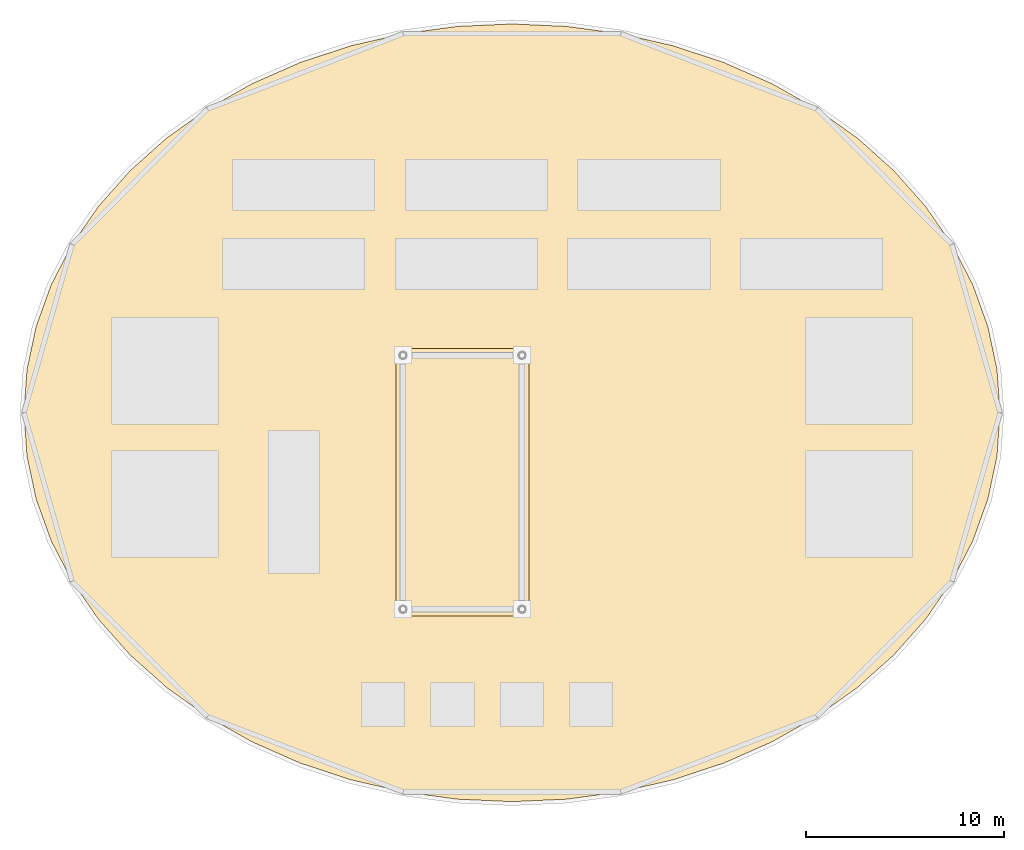
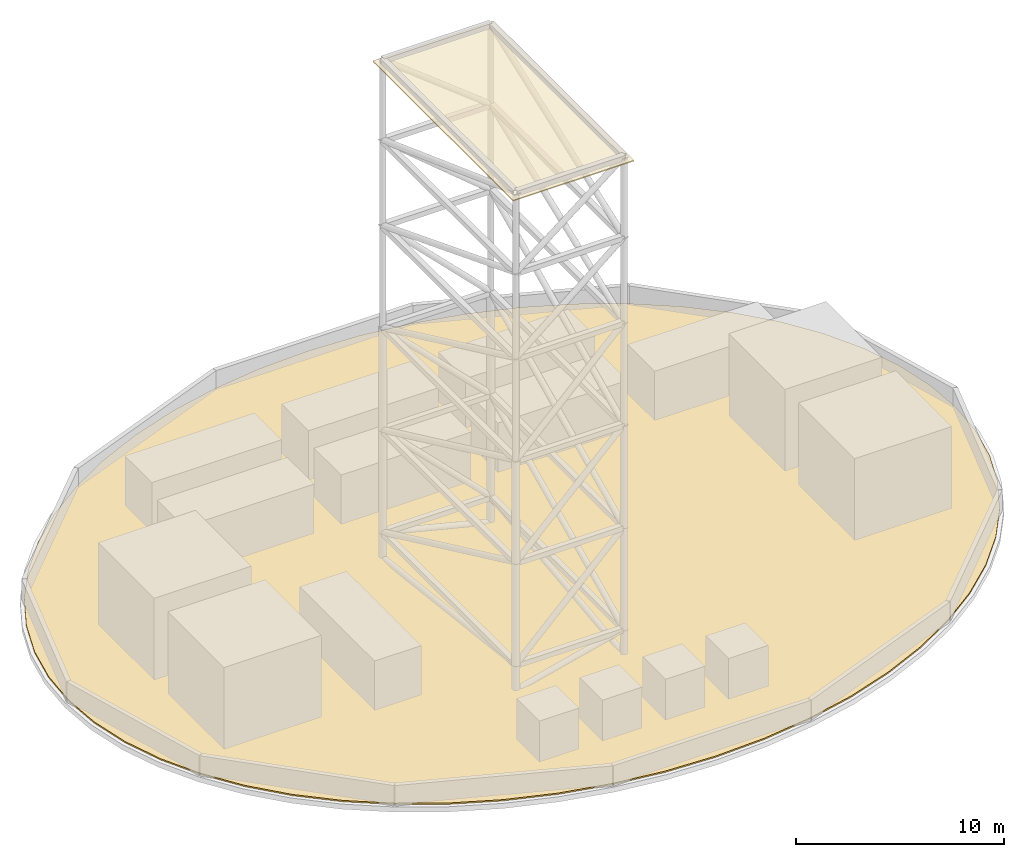
# One storey, part 3 of 4: 2 coverings.
"""IFC4 building model written with IfcOpenShell, lengths in metres."""

from ifc_helpers import new_model, si_unit, direction, frame, origin, place, context, subcontext, project, spatial, polyline, outline, extrude, material, layer, layer_set, type_object, element, save


model = new_model("IFC4")

# Units and contexts
model_context = context("Model", 3, precision=1e-05, world=origin(), true_north=direction((0.0, 1.0)))
body_context = subcontext(model_context, "Body", "Model", "MODEL_VIEW")
ifc_project = project(units=[si_unit("LENGTHUNIT", "METRE"), si_unit("AREAUNIT", "SQUARE_METRE"), si_unit("VOLUMEUNIT", "CUBIC_METRE"), si_unit("PLANEANGLEUNIT", "RADIAN"), si_unit("MASSUNIT", "GRAM", prefix="KILO")], contexts=[model_context])

# Site, building, storey
site_placement = place(None, origin())
site = spatial("IfcSite", under=ifc_project, at=site_placement, CompositionType="ELEMENT")
building_placement = place(site_placement, origin())
building = spatial("IfcBuilding", under=site, at=building_placement, Name="Kazevale Care Tower and Concert Hall", CompositionType="ELEMENT")
storey_placement = place(building_placement, frame((0.0, 0.0, 312.800048828125)))
storey = spatial("IfcBuildingStorey", under=building, at=storey_placement, Name="Roof Deck", CompositionType="ELEMENT", Elevation=312.800048828125)

# Coverings
ifc_material_1 = material(Name="Steel ASTM A572 Gr 50", Category="steel")
ifc_layer_1 = layer(ifc_material_1, 0.06005859375)
ifc_layer_set_1 = layer_set([ifc_layer_1], Name="Steel ASTM A572 Gr 50")
covering_type_1 = type_object("IfcCoveringType", Name="Broadcast Mast Weather Enclosure Grille 60", PredefinedType="CLADDING", material=ifc_layer_set_1)
covering_1_placement = place(storey_placement, frame((0.0, 0.0, 29.0)))
element("IfcCovering", 1, at=covering_1_placement, inside=storey, type_object=covering_type_1, Name="Broadcast Mast Weather Enclosure Top Grille", PredefinedType="CLADDING", context=body_context, shape_type="SweptSolid", body=[
    extrude(outline(polyline([(29.64990234375, 23.25), (36.35009765625, 23.25), (36.35009765625, 36.75), (29.64990234375, 36.75), (29.64990234375, 23.25)])), origin(), (0.0, 0.0, 1.0), 0.06005859375),
])
ifc_material_2 = material(Name="EPDM Roofing Membrane")
ifc_layer_2 = layer(ifc_material_2, 0.080078125)
ifc_layer_set_2 = layer_set([ifc_layer_2], Name="EPDM Roofing Membrane")
covering_type_2 = type_object("IfcCoveringType", Name="Inverted Insulated EPDM Roofing Membrane", PredefinedType="ROOFING", material=ifc_layer_set_2)
covering_2_placement = place(storey_placement, origin())
element("IfcCovering", 2, at=covering_2_placement, inside=storey, type_object=covering_type_2, Name="cov:RF:roofing", PredefinedType="ROOFING", context=body_context, shape_type="SweptSolid", body=[
    extrude(outline(polyline([(60.10009765625, 33.5), (59.946044921875, 31.31103515625), (59.485107421875, 29.14892578125), (58.72509765625, 27.041015625), (57.672119140625, 25.011962890625), (56.341064453125, 23.090087890625), (54.748046875, 21.2958984375), (52.910888671875, 19.656005859375), (50.85498046875, 18.18896484375), (48.60498046875, 16.9140625), (46.18798828125, 15.847900390625), (43.636962890625, 15.00390625), (40.98291015625, 14.39306640625), (38.259033203125, 14.02392578125), (35.5, 13.89990234375), (32.740966796875, 14.02392578125), (30.01708984375, 14.39306640625), (27.363037109375, 15.00390625), (24.81201171875, 15.847900390625), (22.39501953125, 16.9140625), (20.14501953125, 18.18896484375), (18.089111328125, 19.656005859375), (16.251953125, 21.2958984375), (14.658935546875, 23.090087890625), (13.327880859375, 25.011962890625), (12.27490234375, 27.041015625), (11.514892578125, 29.14892578125), (11.053955078125, 31.31103515625), (10.89990234375, 33.5), (11.053955078125, 35.68896484375), (11.514892578125, 37.85107421875), (12.27490234375, 39.958984375), (13.327880859375, 41.988037109375), (14.658935546875, 43.909912109375), (16.251953125, 45.7041015625), (18.089111328125, 47.343994140625), (20.14501953125, 48.81103515625), (22.39501953125, 50.0859375), (24.81201171875, 51.152099609375), (27.363037109375, 51.99609375), (30.01708984375, 52.60693359375), (32.740966796875, 52.97607421875), (35.5, 53.10009765625), (38.259033203125, 52.97607421875), (40.98291015625, 52.60693359375), (43.636962890625, 51.99609375), (46.18798828125, 51.152099609375), (48.60498046875, 50.0859375), (50.85498046875, 48.81103515625), (52.910888671875, 47.343994140625), (54.748046875, 45.7041015625), (56.341064453125, 43.909912109375), (57.672119140625, 41.988037109375), (58.72509765625, 39.958984375), (59.485107421875, 37.85107421875), (59.946044921875, 35.68896484375), (60.10009765625, 33.5)])), origin(), (0.0, 0.0, 1.0), 0.079833984375),
])

save(model, "model.ifc")
